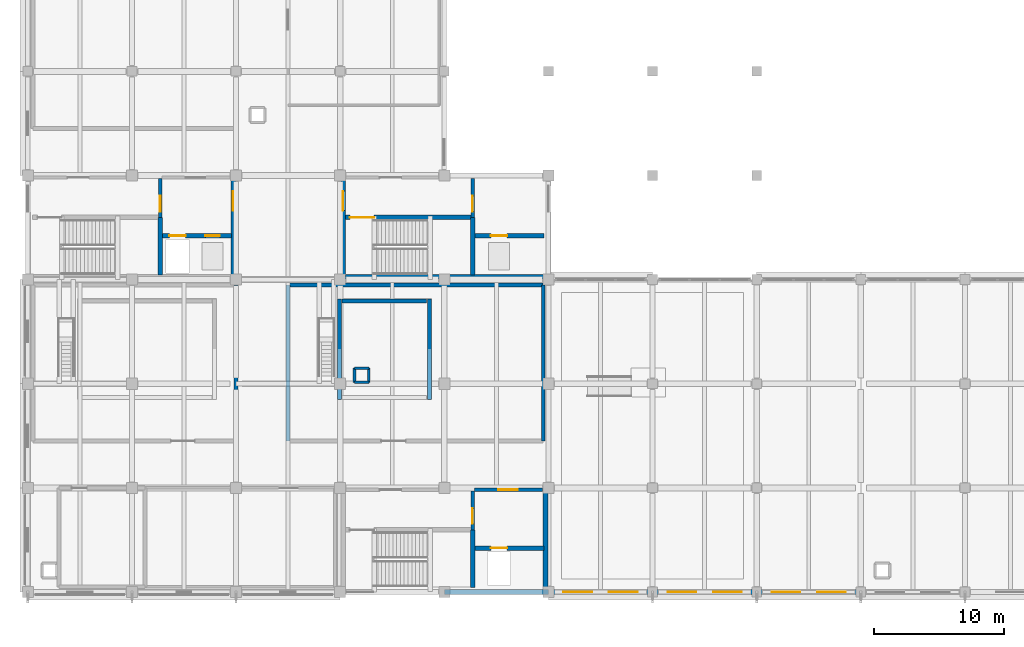
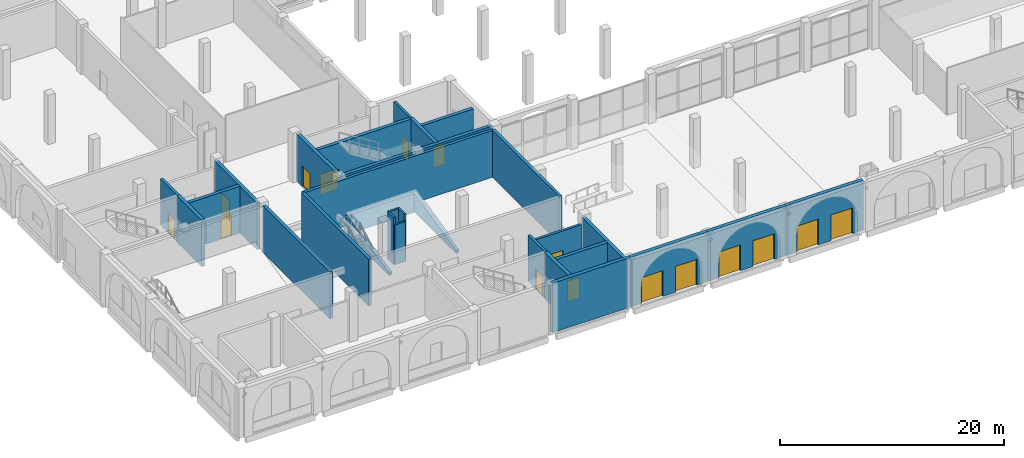
# One storey, part 17 of 40: 30 walls, 17 doors, 17 openings.
"""IFC4 building model written with IfcOpenShell, lengths in metres."""

from ifc_helpers import new_model, si_unit, direction, frame, frame_2d, origin, place, context, subcontext, project, spatial, polyline, rectangle, outline, extrude, material, layer, layer_set, type_object, element, fill, save


model = new_model("IFC4")

# Units and contexts
model_context = context("Model", 3, precision=1e-05, world=origin(), true_north=direction((0.0, 1.0)))
body_context = subcontext(model_context, "Body", "Model", "MODEL_VIEW")
ifc_project = project(units=[si_unit("LENGTHUNIT", "METRE"), si_unit("AREAUNIT", "SQUARE_METRE"), si_unit("VOLUMEUNIT", "CUBIC_METRE"), si_unit("PLANEANGLEUNIT", "RADIAN"), si_unit("MASSUNIT", "GRAM", prefix="KILO")], contexts=[model_context])

# Site, building, storey
site_placement = place(None, origin())
site = spatial("IfcSite", under=ifc_project, at=site_placement, CompositionType="ELEMENT")
building_placement = place(site_placement, origin())
building = spatial("IfcBuilding", under=site, at=building_placement, Name="Qorikala Patio Media Centre", CompositionType="ELEMENT")
storey_placement = place(building_placement, origin())
storey = spatial("IfcBuildingStorey", under=building, at=storey_placement, Name="L00", CompositionType="ELEMENT", Elevation=0.0)

# Walls
ifc_material_1 = material(Name="Concrete C35/45", Category="concrete")
ifc_layer_1 = layer(ifc_material_1, 0.300048828125)
ifc_layer_set_1 = layer_set([ifc_layer_1], Name="Concrete C35/45")
wall_type_1 = type_object("IfcWallType", Name="WL-AC-300", PredefinedType="SHEAR", material=ifc_layer_set_1)
for number, where, z_axis, x_axis, name in (
    (1, (26.949951171875, 17.800048828125, 0.0), (0.0, 0.0, 1.0), (0.0, 1.0, 0.0), "Cinema Screen 2 Raked Seating Tier Raker Cheek Wall W"),
    (2, (33.85009765625, 17.800048828125, 0.0), (0.0, 0.0, 1.0), (0.0, 1.0, 0.0), "Cinema Screen 2 Raked Seating Tier Raker Cheek Wall E"),
):
    element("IfcWall", number, at=place(storey_placement, frame(where, z_axis=z_axis, x_axis=x_axis)), inside=storey, type_object=wall_type_1, Name=name, PredefinedType="SHEAR", context=body_context, shape_type="SweptSolid", body=[
        extrude(outline(polyline([(0.0, 0.0), (7.699951171875, 0.0), (7.699951171875, 2.070068359375), (0.0, 0.320068359375), (0.0, 0.0)])), frame((0.0, 0.14990234375, 0.0), z_axis=(0.0, -1.0, 0.0), x_axis=(1.0, 0.0, 0.0)), (0.0, 0.0, 1.0), 0.300048828125),
    ])
wall_1_placement = place(storey_placement, frame((27.14990234375, 25.35009765625, 0.0), z_axis=(0.0, 0.0, 1.0), x_axis=(1.0, 0.0, 0.0)))
element("IfcWall", 3, at=wall_1_placement, inside=storey, type_object=wall_type_1, Name="Cinema Screen 2 Raked Seating Tier Rear Riser Support Wall", PredefinedType="SHEAR", context=body_context, shape_type="SweptSolid", body=[
    extrude(rectangle(XDim=6.5, YDim=0.300048828125, at=frame_2d((3.25, 0.0))), origin(), (0.0, 0.0, 1.0), 2.070068359375),
])
for number, where, z_axis, x_axis, name in (
    (4, (19.0, 14.60009765625, 0.0), (0.0, 0.0, 1.0), (0.0, 1.0, 0.0), "L00 Interior Wall WINT-L00-SCR1-E"),
    (5, (42.60009765625, 14.60009765625, 0.0), (0.0, 0.0, 1.0), (0.0, 1.0, 0.0), "L00 Interior Wall WINT-L00-SCR2-E"),
):
    element("IfcWall", number, at=place(storey_placement, frame(where, z_axis=z_axis, x_axis=x_axis)), inside=storey, type_object=wall_type_1, Name=name, PredefinedType="SHEAR", context=body_context, shape_type="SweptSolid", body=[
        extrude(rectangle(XDim=12.0, YDim=0.300048828125, at=frame_2d((6.0, 0.0))), origin(), (0.0, 0.0, 1.0), 5.10009765625),
    ])
wall_2_placement = place(storey_placement, frame((23.0, 26.60009765625, 0.0), z_axis=(0.0, 0.0, 1.0), x_axis=(1.0, 0.0, 0.0)))
element("IfcWall", 6, at=wall_2_placement, inside=storey, type_object=wall_type_1, Name="L00 Interior Wall WINT-L00-SCR2-N", PredefinedType="SHEAR", context=body_context, shape_type="SweptSolid", body=[
    extrude(rectangle(XDim=19.60009765625, YDim=0.300048828125, at=frame_2d((9.800048828125, 0.0))), origin(), (0.0, 0.0, 1.0), 5.10009765625),
])
wall_3_placement = place(storey_placement, frame((23.0, 14.60009765625, 0.0), z_axis=(0.0, 0.0, 1.0), x_axis=(0.0, 1.0, 0.0)))
element("IfcWall", 7, at=wall_3_placement, inside=storey, type_object=wall_type_1, Name="L00 Interior Wall WINT-L00-SCR2-W", PredefinedType="SHEAR", context=body_context, shape_type="SweptSolid", body=[
    extrude(rectangle(XDim=12.0, YDim=0.300048828125, at=frame_2d((6.0, 0.0))), origin(), (0.0, 0.0, 1.0), 5.10009765625),
])
ifc_layer_2 = layer(ifc_material_1, 0.35009765625)
ifc_layer_set_2 = layer_set([ifc_layer_2], Name="Concrete C35/45")
wall_type_2 = type_object("IfcWallType", Name="WL-CORE-350", PredefinedType="SHEAR", material=ifc_layer_set_2)
wall_4_placement = place(storey_placement, frame((37.175048828125, 3.35009765625, 0.0), z_axis=(0.0, 0.0, 1.0), x_axis=(0.0, 1.0, 0.0)))
element("IfcWall", 8, at=wall_4_placement, inside=storey, type_object=wall_type_2, Name="L00 Interior Wall CW-L00-C1-SE", PredefinedType="SHEAR", context=body_context, shape_type="SweptSolid", body=[
    extrude(rectangle(XDim=4.4248046875, YDim=0.35009765625, at=frame_2d((2.21240234375, 0.0))), origin(), (0.0, 0.0, 1.0), 5.10009765625),
])
wall_5_placement = place(storey_placement, frame((42.77490234375, 3.199951171875, 0.0), z_axis=(0.0, 0.0, 1.0), x_axis=(0.0, 1.0, 0.0)))
element("IfcWall", 9, at=wall_5_placement, inside=storey, type_object=wall_type_2, Name="L00 Interior Wall CW-L00-C1-EE", PredefinedType="SHEAR", context=body_context, shape_type="SweptSolid", body=[
    extrude(rectangle(XDim=7.60009765625, YDim=0.35009765625, at=frame_2d((3.800048828125, 0.0))), origin(), (0.0, 0.0, 1.0), 5.10009765625),
])

# Wall, opening, door
wall_6_placement = place(storey_placement, frame((37.175048828125, 6.375, 0.0), z_axis=(0.0, 0.0, 1.0), x_axis=(1.0, 0.0, 0.0)))
wall_6 = element("IfcWall", 10, at=wall_6_placement, inside=storey, type_object=wall_type_2, Name="L00 Interior Wall CW-L00-C1-LFN", PredefinedType="SHEAR", context=body_context, shape_type="SweptSolid", body=[
    extrude(rectangle(XDim=5.474853515625, YDim=0.35009765625, at=frame_2d((2.7373046875, 0.0))), origin(), (0.0, 0.0, 1.0), 5.10009765625),
])
opening_1_placement = place(wall_6_placement, frame((1.39990234375, 0.0, 0.0)))
opening_1 = element("IfcOpeningElement", 11, at=opening_1_placement, cuts=wall_6, Name="Opening LD02", PredefinedType="OPENING", context=body_context, shape_type="SweptSolid", body=[
    extrude(rectangle(XDim=1.25, YDim=2.25, at=frame_2d((0.625, 1.125))), frame((0.0, 0.18505859375, 0.0), z_axis=(0.0, -1.0, 0.0), x_axis=(1.0, 0.0, 0.0)), (0.0, 0.0, 1.0), 0.3701171875),
])
ifc_material_2 = material(Name="Brushed Bronze Stainless Steel", Category="steel")
door_type_1 = type_object("IfcDoorType", Name="DR-LD-125X225", OperationType="DOUBLE_DOOR_SLIDING", PredefinedType="DOOR", material=ifc_material_2)
door_1_placement = place(opening_1_placement, origin())
door_1 = element("IfcDoor", 12, at=door_1_placement, inside=storey, type_object=door_type_1, Name="L00 Lift LF-01 Sliding Landing Door", OperationType="DOUBLE_DOOR_SLIDING", OverallHeight=2.25, OverallWidth=1.25, PredefinedType="DOOR", context=body_context, shape_type="SweptSolid", body=[
    extrude(rectangle(XDim=1.25, YDim=2.25, at=frame_2d((0.625, 1.125))), frame((0.0, 0.02490234375, 0.0), z_axis=(0.0, -1.0, 0.0), x_axis=(1.0, 0.0, 0.0)), (0.0, 0.0, 1.0), 0.050048828125),
])
fill(opening_1, door_1)

# Wall
wall_7_placement = place(storey_placement, frame((13.175048828125, 27.35009765625, 0.0), z_axis=(0.0, 0.0, 1.0), x_axis=(0.0, 1.0, 0.0)))
element("IfcWall", 13, at=wall_7_placement, inside=storey, type_object=wall_type_2, Name="L00 Interior Wall CW-L00-C2-SE", PredefinedType="SHEAR", context=body_context, shape_type="SweptSolid", body=[
    extrude(rectangle(XDim=4.4248046875, YDim=0.35009765625, at=frame_2d((2.21240234375, 0.0))), origin(), (0.0, 0.0, 1.0), 5.10009765625),
])

# Wall, opening, door
wall_8_placement = place(storey_placement, frame((18.77490234375, 27.199951171875, 0.0), z_axis=(0.0, 0.0, 1.0), x_axis=(0.0, 1.0, 0.0)))
wall_8 = element("IfcWall", 14, at=wall_8_placement, inside=storey, type_object=wall_type_2, Name="L00 Interior Wall CW-L00-C2-EE", PredefinedType="SHEAR", context=body_context, shape_type="SweptSolid", body=[
    extrude(rectangle(XDim=7.60009765625, YDim=0.35009765625, at=frame_2d((3.800048828125, 0.0))), origin(), (0.0, 0.0, 1.0), 5.10009765625),
])
opening_2_placement = place(wall_8_placement, frame((5.10009765625, 0.0, 0.0)))
opening_2 = element("IfcOpeningElement", 15, at=opening_2_placement, cuts=wall_8, Name="Opening D064", PredefinedType="OPENING", context=body_context, shape_type="SweptSolid", body=[
    extrude(rectangle(XDim=1.5, YDim=2.199951171875, at=frame_2d((0.75, 1.10009765625))), frame((0.0, 0.18505859375, 0.0), z_axis=(0.0, -1.0, 0.0), x_axis=(1.0, 0.0, 0.0)), (0.0, 0.0, 1.0), 0.3701171875),
])
ifc_material_3 = material(Name="Powder-Coated Acoustic Fire Steel", Category="steel")
door_type_2 = type_object("IfcDoorType", Name="DR-FD60-150X220", OperationType="DOUBLE_DOOR_SINGLE_SWING", PredefinedType="DOOR", material=ifc_material_3)
door_2_placement = place(opening_2_placement, origin())
door_2 = element("IfcDoor", 16, at=door_2_placement, inside=storey, type_object=door_type_2, Name="L00 Core C2 East Corridor Fire Door", OperationType="DOUBLE_DOOR_SINGLE_SWING", OverallHeight=2.199951171875, OverallWidth=1.5, PredefinedType="DOOR", context=body_context, shape_type="SweptSolid", body=[
    extrude(rectangle(XDim=1.5, YDim=2.199951171875, at=frame_2d((0.75, 1.10009765625))), frame((0.0, 0.02490234375, 0.0), z_axis=(0.0, -1.0, 0.0), x_axis=(1.0, 0.0, 0.0)), (0.0, 0.0, 1.0), 0.050048828125),
])
fill(opening_2, door_2)

# Wall, openings, doors
wall_9_placement = place(storey_placement, frame((13.175048828125, 30.375, 0.0), z_axis=(0.0, 0.0, 1.0), x_axis=(1.0, 0.0, 0.0)))
wall_9 = element("IfcWall", 17, at=wall_9_placement, inside=storey, type_object=wall_type_2, Name="L00 Interior Wall CW-L00-C2-LFN", PredefinedType="SHEAR", context=body_context, shape_type="SweptSolid", body=[
    extrude(rectangle(XDim=5.474853515625, YDim=0.35009765625, at=frame_2d((2.7373046875, 0.0))), origin(), (0.0, 0.0, 1.0), 5.10009765625),
])
opening_3_placement = place(wall_9_placement, frame((0.699951171875, 0.0, 0.0)))
opening_3 = element("IfcOpeningElement", 18, at=opening_3_placement, cuts=wall_9, Name="Opening LD10", PredefinedType="OPENING", context=body_context, shape_type="SweptSolid", body=[
    extrude(rectangle(XDim=1.25, YDim=2.25, at=frame_2d((0.625, 1.125))), frame((0.0, 0.18505859375, 0.0), z_axis=(0.0, -1.0, 0.0), x_axis=(1.0, 0.0, 0.0)), (0.0, 0.0, 1.0), 0.3701171875),
])
opening_4_placement = place(wall_9_placement, frame((3.47509765625, 0.0, 0.0)))
opening_4 = element("IfcOpeningElement", 19, at=opening_4_placement, cuts=wall_9, Name="Opening LD11", PredefinedType="OPENING", context=body_context, shape_type="SweptSolid", body=[
    extrude(rectangle(XDim=1.10009765625, YDim=2.199951171875, at=frame_2d((0.550048828125, 1.10009765625))), frame((0.0, 0.18505859375, 0.0), z_axis=(0.0, -1.0, 0.0), x_axis=(1.0, 0.0, 0.0)), (0.0, 0.0, 1.0), 0.3701171875),
])
door_type_3 = type_object("IfcDoorType", Name="DR-LD-110X220", OperationType="DOUBLE_DOOR_SLIDING", PredefinedType="DOOR", material=ifc_material_2)
door_3_placement = place(opening_4_placement, origin())
door_3 = element("IfcDoor", 20, at=door_3_placement, inside=storey, type_object=door_type_3, Name="L00 Lift LP-04 Sliding Landing Door", OperationType="DOUBLE_DOOR_SLIDING", OverallHeight=2.199951171875, OverallWidth=1.10009765625, PredefinedType="DOOR", context=body_context, shape_type="SweptSolid", body=[
    extrude(rectangle(XDim=1.10009765625, YDim=2.199951171875, at=frame_2d((0.550048828125, 1.10009765625))), frame((0.0, 0.02490234375, 0.0), z_axis=(0.0, -1.0, 0.0), x_axis=(1.0, 0.0, 0.0)), (0.0, 0.0, 1.0), 0.050048828125),
])
fill(opening_4, door_3)
door_4_placement = place(opening_3_placement, origin())
door_4 = element("IfcDoor", 21, at=door_4_placement, inside=storey, type_object=door_type_1, Name="L00 Lift LF-02 Sliding Landing Door", OperationType="DOUBLE_DOOR_SLIDING", OverallHeight=2.25, OverallWidth=1.25, PredefinedType="DOOR", context=body_context, shape_type="SweptSolid", body=[
    extrude(rectangle(XDim=1.25, YDim=2.25, at=frame_2d((0.625, 1.125))), frame((0.0, 0.02490234375, 0.0), z_axis=(0.0, -1.0, 0.0), x_axis=(1.0, 0.0, 0.0)), (0.0, 0.0, 1.0), 0.050048828125),
])
fill(opening_3, door_4)

# Wall
wall_10_placement = place(storey_placement, frame((27.199951171875, 27.22509765625, 0.0), z_axis=(0.0, 0.0, 1.0), x_axis=(1.0, 0.0, 0.0)))
element("IfcWall", 22, at=wall_10_placement, inside=storey, type_object=wall_type_2, Name="L00 Core C5 Stair South Wall", PredefinedType="SHEAR", context=body_context, shape_type="SweptSolid", body=[
    extrude(rectangle(XDim=15.60009765625, YDim=0.35009765625, at=frame_2d((7.800048828125, 0.0))), origin(), (0.0, 0.0, 1.0), 5.10009765625),
])

# Wall, opening, door
wall_11_placement = place(storey_placement, frame((27.22509765625, 27.199951171875, 0.0), z_axis=(0.0, 0.0, 1.0), x_axis=(0.0, 1.0, 0.0)))
wall_11 = element("IfcWall", 23, at=wall_11_placement, inside=storey, type_object=wall_type_2, Name="L00 Interior Wall CW-L00-C5-SW", PredefinedType="SHEAR", context=body_context, shape_type="SweptSolid", body=[
    extrude(rectangle(XDim=7.60009765625, YDim=0.35009765625, at=frame_2d((3.800048828125, 0.0))), origin(), (0.0, 0.0, 1.0), 5.10009765625),
])
opening_5_placement = place(wall_11_placement, frame((5.10009765625, 0.0, 0.0)))
opening_5 = element("IfcOpeningElement", 24, at=opening_5_placement, cuts=wall_11, Name="Opening D150", PredefinedType="OPENING", context=body_context, shape_type="SweptSolid", body=[
    extrude(rectangle(XDim=1.5, YDim=2.199951171875, at=frame_2d((0.75, 1.10009765625))), frame((0.0, 0.18505859375, 0.0), z_axis=(0.0, -1.0, 0.0), x_axis=(1.0, 0.0, 0.0)), (0.0, 0.0, 1.0), 0.3701171875),
])
door_5_placement = place(opening_5_placement, origin())
door_5 = element("IfcDoor", 25, at=door_5_placement, inside=storey, type_object=door_type_2, Name="L00 Core C5 West Corridor Fire Door", OperationType="DOUBLE_DOOR_SINGLE_SWING", OverallHeight=2.199951171875, OverallWidth=1.5, PredefinedType="DOOR", context=body_context, shape_type="SweptSolid", body=[
    extrude(rectangle(XDim=1.5, YDim=2.199951171875, at=frame_2d((0.75, 1.10009765625))), frame((0.0, 0.02490234375, 0.0), z_axis=(0.0, -1.0, 0.0), x_axis=(1.0, 0.0, 0.0)), (0.0, 0.0, 1.0), 0.050048828125),
])
fill(opening_5, door_5)

# Wall
wall_12_placement = place(storey_placement, frame((37.175048828125, 27.35009765625, 0.0), z_axis=(0.0, 0.0, 1.0), x_axis=(0.0, 1.0, 0.0)))
element("IfcWall", 26, at=wall_12_placement, inside=storey, type_object=wall_type_2, Name="L00 Interior Wall CW-L00-C5-SE", PredefinedType="SHEAR", context=body_context, shape_type="SweptSolid", body=[
    extrude(rectangle(XDim=4.4248046875, YDim=0.35009765625, at=frame_2d((2.21240234375, 0.0))), origin(), (0.0, 0.0, 1.0), 5.10009765625),
])

# Wall, opening, door
wall_13_placement = place(storey_placement, frame((27.35009765625, 31.77490234375, 0.0), z_axis=(0.0, 0.0, 1.0), x_axis=(1.0, 0.0, 0.0)))
wall_13 = element("IfcWall", 27, at=wall_13_placement, inside=storey, type_object=wall_type_2, Name="L00 Interior Wall CW-L00-C5-SN", PredefinedType="SHEAR", context=body_context, shape_type="SweptSolid", body=[
    extrude(rectangle(XDim=9.824951171875, YDim=0.35009765625, at=frame_2d((4.91259765625, 0.0))), origin(), (0.0, 0.0, 1.0), 5.10009765625),
])
opening_6_placement = place(wall_13_placement, frame((0.39990234375, 0.0, 0.0)))
opening_6 = element("IfcOpeningElement", 28, at=opening_6_placement, cuts=wall_13, Name="Opening D147", PredefinedType="OPENING", context=body_context, shape_type="SweptSolid", body=[
    extrude(rectangle(XDim=1.85009765625, YDim=2.25, at=frame_2d((0.925048828125, 1.125))), frame((0.0, 0.18505859375, 0.0), z_axis=(0.0, -1.0, 0.0), x_axis=(1.0, 0.0, 0.0)), (0.0, 0.0, 1.0), 0.3701171875),
])
door_type_4 = type_object("IfcDoorType", Name="DR-FD60-185X225", OperationType="DOUBLE_DOOR_SINGLE_SWING", PredefinedType="DOOR", material=ifc_material_3)
door_6_placement = place(opening_6_placement, frame((1.85009765625, 0.0, 0.0), z_axis=(0.0, 0.0, 1.0), x_axis=(-1.0, 0.0, 0.0)))
door_6 = element("IfcDoor", 29, at=door_6_placement, inside=storey, type_object=door_type_4, Name="L00 Stair ST-5 Fire Door", OperationType="DOUBLE_DOOR_SINGLE_SWING", OverallHeight=2.25, OverallWidth=1.85009765625, PredefinedType="DOOR", context=body_context, shape_type="SweptSolid", body=[
    extrude(rectangle(XDim=1.85009765625, YDim=2.25, at=frame_2d((0.925048828125, 1.125))), frame((0.0, 0.02490234375, 0.0), z_axis=(0.0, -1.0, 0.0), x_axis=(1.0, 0.0, 0.0)), (0.0, 0.0, 1.0), 0.050048828125),
])
fill(opening_6, door_6)

wall_14_placement = place(storey_placement, frame((37.175048828125, 30.375, 0.0), z_axis=(0.0, 0.0, 1.0), x_axis=(1.0, 0.0, 0.0)))
wall_14 = element("IfcWall", 30, at=wall_14_placement, inside=storey, type_object=wall_type_2, Name="L00 Interior Wall CW-L00-C5-LFN", PredefinedType="SHEAR", context=body_context, shape_type="SweptSolid", body=[
    extrude(rectangle(XDim=5.474853515625, YDim=0.35009765625, at=frame_2d((2.7373046875, 0.0))), origin(), (0.0, 0.0, 1.0), 5.10009765625),
])
opening_7_placement = place(wall_14_placement, frame((1.39990234375, 0.0, 0.0)))
opening_7 = element("IfcOpeningElement", 31, at=opening_7_placement, cuts=wall_14, Name="Opening LD41", PredefinedType="OPENING", context=body_context, shape_type="SweptSolid", body=[
    extrude(rectangle(XDim=1.25, YDim=2.25, at=frame_2d((0.625, 1.125))), frame((0.0, 0.18505859375, 0.0), z_axis=(0.0, -1.0, 0.0), x_axis=(1.0, 0.0, 0.0)), (0.0, 0.0, 1.0), 0.3701171875),
])
door_7_placement = place(opening_7_placement, origin())
door_7 = element("IfcDoor", 32, at=door_7_placement, inside=storey, type_object=door_type_1, Name="L00 Lift LP-03 Sliding Landing Door", OperationType="DOUBLE_DOOR_SLIDING", OverallHeight=2.25, OverallWidth=1.25, PredefinedType="DOOR", context=body_context, shape_type="SweptSolid", body=[
    extrude(rectangle(XDim=1.25, YDim=2.25, at=frame_2d((0.625, 1.125))), frame((0.0, 0.02490234375, 0.0), z_axis=(0.0, -1.0, 0.0), x_axis=(1.0, 0.0, 0.0)), (0.0, 0.0, 1.0), 0.050048828125),
])
fill(opening_7, door_7)

ifc_layer_3 = layer(ifc_material_1, 0.25)
ifc_layer_set_3 = layer_set([ifc_layer_3], Name="Concrete C35/45")
wall_type_3 = type_object("IfcWallType", Name="WL-FFL-250", PredefinedType="PARTITIONING", material=ifc_layer_set_3)
wall_15_placement = place(storey_placement, frame((37.175048828125, 7.77490234375, 0.0), z_axis=(0.0, 0.0, 1.0), x_axis=(0.0, 1.0, 0.0)))
wall_15 = element("IfcWall", 33, at=wall_15_placement, inside=storey, type_object=wall_type_3, Name="L00 Interior Wall CW-L00-C1-LBD", PredefinedType="PARTITIONING", context=body_context, shape_type="SweptSolid", body=[
    extrude(rectangle(XDim=2.97509765625, YDim=0.25, at=frame_2d((1.487548828125, 0.0))), origin(), (0.0, 0.0, 1.0), 5.10009765625),
])
opening_8_placement = place(wall_15_placement, frame((0.449951171875, 0.0, 0.0)))
opening_8 = element("IfcOpeningElement", 34, at=opening_8_placement, cuts=wall_15, Name="Opening D028", PredefinedType="OPENING", context=body_context, shape_type="SweptSolid", body=[
    extrude(rectangle(XDim=1.199951171875, YDim=2.199951171875, at=frame_2d((0.60009765625, 1.10009765625))), frame((0.0, 0.135009765625, 0.0), z_axis=(0.0, -1.0, 0.0), x_axis=(1.0, 0.0, 0.0)), (0.0, 0.0, 1.0), 0.27001953125),
])
ifc_material_4 = material(Name="Acoustic Fire Timber and Steel", Category="steel")
door_type_5 = type_object("IfcDoorType", Name="DR-FD60-120X220", OperationType="NOTDEFINED", PredefinedType="DOOR", material=ifc_material_4)
door_8_placement = place(opening_8_placement, origin())
door_8 = element("IfcDoor", 35, at=door_8_placement, inside=storey, type_object=door_type_5, Name="L00 Core C1 Firefighting Lobby Cross Door", OperationType="SINGLE_SWING_RIGHT", OverallHeight=2.199951171875, OverallWidth=1.199951171875, PredefinedType="DOOR", context=body_context, shape_type="SweptSolid", body=[
    extrude(rectangle(XDim=1.199951171875, YDim=2.199951171875, at=frame_2d((0.60009765625, 1.10009765625))), frame((0.0, 0.02490234375, 0.0), z_axis=(0.0, -1.0, 0.0), x_axis=(1.0, 0.0, 0.0)), (0.0, 0.0, 1.0), 0.050048828125),
])
fill(opening_8, door_8)

wall_16_placement = place(storey_placement, frame((37.300048828125, 10.85009765625, 0.0), z_axis=(0.0, 0.0, 1.0), x_axis=(1.0, 0.0, 0.0)))
wall_16 = element("IfcWall", 36, at=wall_16_placement, inside=storey, type_object=wall_type_3, Name="L00 Interior Wall CW-L00-C1-CN2", PredefinedType="PARTITIONING", context=body_context, shape_type="SweptSolid", body=[
    extrude(rectangle(XDim=5.25, YDim=0.25, at=frame_2d((2.625, 0.0))), origin(), (0.0, 0.0, 1.0), 4.3349609375),
])
opening_9_placement = place(wall_16_placement, frame((1.85009765625, 0.0, 0.0)))
opening_9 = element("IfcOpeningElement", 37, at=opening_9_placement, cuts=wall_16, Name="Opening D030", PredefinedType="OPENING", context=body_context, shape_type="SweptSolid", body=[
    extrude(rectangle(XDim=1.5, YDim=2.199951171875, at=frame_2d((0.75, 1.10009765625))), frame((0.0, 0.135009765625, 0.0), z_axis=(0.0, -1.0, 0.0), x_axis=(1.0, 0.0, 0.0)), (0.0, 0.0, 1.0), 0.27001953125),
])
door_9_placement = place(opening_9_placement, origin())
door_9 = element("IfcDoor", 38, at=door_9_placement, inside=storey, type_object=door_type_2, Name="L00 Core C1 Firefighting Lobby Door", OperationType="DOUBLE_DOOR_SINGLE_SWING", OverallHeight=2.199951171875, OverallWidth=1.5, PredefinedType="DOOR", context=body_context, shape_type="SweptSolid", body=[
    extrude(rectangle(XDim=1.5, YDim=2.199951171875, at=frame_2d((0.75, 1.10009765625))), frame((0.0, 0.02490234375, 0.0), z_axis=(0.0, -1.0, 0.0), x_axis=(1.0, 0.0, 0.0)), (0.0, 0.0, 1.0), 0.050048828125),
])
fill(opening_9, door_9)

wall_17_placement = place(storey_placement, frame((13.175048828125, 31.77490234375, 0.0), z_axis=(0.0, 0.0, 1.0), x_axis=(0.0, 1.0, 0.0)))
wall_17 = element("IfcWall", 39, at=wall_17_placement, inside=storey, type_object=wall_type_3, Name="L00 Interior Wall CW-L00-C2-LBD", PredefinedType="PARTITIONING", context=body_context, shape_type="SweptSolid", body=[
    extrude(rectangle(XDim=2.97509765625, YDim=0.25, at=frame_2d((1.487548828125, 0.0))), origin(), (0.0, 0.0, 1.0), 5.10009765625),
])
opening_10_placement = place(wall_17_placement, frame((0.449951171875, 0.0, 0.0)))
opening_10 = element("IfcOpeningElement", 40, at=opening_10_placement, cuts=wall_17, Name="Opening D061", PredefinedType="OPENING", context=body_context, shape_type="SweptSolid", body=[
    extrude(rectangle(XDim=1.199951171875, YDim=2.199951171875, at=frame_2d((0.60009765625, 1.10009765625))), frame((0.0, 0.135009765625, 0.0), z_axis=(0.0, -1.0, 0.0), x_axis=(1.0, 0.0, 0.0)), (0.0, 0.0, 1.0), 0.27001953125),
])
door_10_placement = place(opening_10_placement, origin())
door_10 = element("IfcDoor", 41, at=door_10_placement, inside=storey, type_object=door_type_5, Name="L00 Core C2 Firefighting Lobby Cross Door", OperationType="SINGLE_SWING_RIGHT", OverallHeight=2.199951171875, OverallWidth=1.199951171875, PredefinedType="DOOR", context=body_context, shape_type="SweptSolid", body=[
    extrude(rectangle(XDim=1.199951171875, YDim=2.199951171875, at=frame_2d((0.60009765625, 1.10009765625))), frame((0.0, 0.02490234375, 0.0), z_axis=(0.0, -1.0, 0.0), x_axis=(1.0, 0.0, 0.0)), (0.0, 0.0, 1.0), 0.050048828125),
])
fill(opening_10, door_10)

wall_18_placement = place(storey_placement, frame((37.175048828125, 31.77490234375, 0.0), z_axis=(0.0, 0.0, 1.0), x_axis=(0.0, 1.0, 0.0)))
wall_18 = element("IfcWall", 42, at=wall_18_placement, inside=storey, type_object=wall_type_3, Name="L00 Interior Wall CW-L00-C5-LBD", PredefinedType="PARTITIONING", context=body_context, shape_type="SweptSolid", body=[
    extrude(rectangle(XDim=2.97509765625, YDim=0.25, at=frame_2d((1.487548828125, 0.0))), origin(), (0.0, 0.0, 1.0), 5.10009765625),
])
opening_11_placement = place(wall_18_placement, frame((0.449951171875, 0.0, 0.0)))
opening_11 = element("IfcOpeningElement", 43, at=opening_11_placement, cuts=wall_18, Name="Opening D148", PredefinedType="OPENING", context=body_context, shape_type="SweptSolid", body=[
    extrude(rectangle(XDim=1.199951171875, YDim=2.199951171875, at=frame_2d((0.60009765625, 1.10009765625))), frame((0.0, 0.135009765625, 0.0), z_axis=(0.0, -1.0, 0.0), x_axis=(1.0, 0.0, 0.0)), (0.0, 0.0, 1.0), 0.27001953125),
])
door_11_placement = place(opening_11_placement, origin())
door_11 = element("IfcDoor", 44, at=door_11_placement, inside=storey, type_object=door_type_5, Name="L00 Core C5 Firefighting Lobby Cross Door", OperationType="SINGLE_SWING_RIGHT", OverallHeight=2.199951171875, OverallWidth=1.199951171875, PredefinedType="DOOR", context=body_context, shape_type="SweptSolid", body=[
    extrude(rectangle(XDim=1.199951171875, YDim=2.199951171875, at=frame_2d((0.60009765625, 1.10009765625))), frame((0.0, 0.02490234375, 0.0), z_axis=(0.0, -1.0, 0.0), x_axis=(1.0, 0.0, 0.0)), (0.0, 0.0, 1.0), 0.050048828125),
])
fill(opening_11, door_11)

# Walls
ifc_material_5 = material(Name="Acoustic Masonry and Plaster Concrete C30/37", Category="masonry")
ifc_layer_4 = layer(ifc_material_5, 0.199951171875)
ifc_layer_set_4 = layer_set([ifc_layer_4], Name="Acoustic Masonry and Plaster Concrete C30/37")
wall_type_4 = type_object("IfcWallType", Name="WL-ST-200", PredefinedType="PARTITIONING", material=ifc_layer_set_4)
wall_19_placement = place(storey_placement, frame((28.10009765625, 19.10009765625, 0.0), z_axis=(0.0, 0.0, 1.0), x_axis=(1.0, 0.0, 0.0)))
element("IfcWall", 45, at=wall_19_placement, inside=storey, type_object=wall_type_4, Name="L00 Interior Wall RSW-4-L00-S", PredefinedType="PARTITIONING", context=body_context, shape_type="SweptSolid", body=[
    extrude(rectangle(XDim=1.099853515625, YDim=0.199951171875, at=frame_2d((0.5498046875, 0.0))), origin(), (0.0, 0.0, 1.0), 4.3349609375),
])
for number, where, z_axis, x_axis, name in (
    (46, (28.10009765625, 20.199951171875, 0.0), (0.0, 0.0, 1.0), (1.0, 0.0, 0.0), "L00 Interior Wall RSW-4-L00-N"),
    (47, (28.10009765625, 19.10009765625, 0.0), (0.0, 0.0, 1.0), (0.0, 1.0, 0.0), "L00 Interior Wall RSW-4-L00-W"),
    (48, (29.199951171875, 19.10009765625, 0.0), (0.0, 0.0, 1.0), (0.0, 1.0, 0.0), "L00 Interior Wall RSW-4-L00-E"),
):
    element("IfcWall", number, at=place(storey_placement, frame(where, z_axis=z_axis, x_axis=x_axis)), inside=storey, type_object=wall_type_4, Name=name, PredefinedType="PARTITIONING", context=body_context, shape_type="SweptSolid", body=[
        extrude(rectangle(XDim=1.099853515625, YDim=0.199951171875, at=frame_2d((0.5498046875, 0.0))), origin(), (0.0, 0.0, 1.0), 5.10009765625),
    ])

# Wall, openings, doors
ifc_material_6 = material(Name="Comanche Granite and Concrete C35/45", Category="masonry")
ifc_layer_5 = layer(ifc_material_6, 0.3798828125)
ifc_layer_set_5 = layer_set([ifc_layer_5], Name="Comanche Granite and Concrete C35/45")
wall_type_5 = type_object("IfcWallType", Name="WL-STONE-380", PredefinedType="SOLIDWALL", material=ifc_layer_set_5)
wall_20_placement = place(storey_placement, frame((67.0, 3.0, 0.0), z_axis=(0.0, 0.0, 1.0), x_axis=(-1.0, 0.0, 0.0)))
wall_20 = element("IfcWall", 49, at=wall_20_placement, inside=storey, type_object=wall_type_5, Name="L00 Exterior Wall WL-L00-EXT-0038", PredefinedType="SOLIDWALL", context=body_context, shape_type="SweptSolid", body=[
    extrude(rectangle(XDim=8.0, YDim=0.3798828125, at=frame_2d((4.0, 0.0))), origin(), (0.0, 0.0, 1.0), 5.39990234375),
])
opening_12_placement = place(wall_20_placement, frame((1.14990234375, 0.0, 0.0)))
opening_12 = element("IfcOpeningElement", 50, at=opening_12_placement, cuts=wall_20, Name="Opening D007", PredefinedType="OPENING", context=body_context, shape_type="SweptSolid", body=[
    extrude(rectangle(XDim=2.199951171875, YDim=2.800048828125, at=frame_2d((1.10009765625, 1.39990234375))), frame((0.0, 0.199951171875, 0.0), z_axis=(0.0, -1.0, 0.0), x_axis=(1.0, 0.0, 0.0)), (0.0, 0.0, 1.0), 0.39990234375),
])
opening_13_placement = place(wall_20_placement, frame((4.64990234375, 0.0, 0.0)))
opening_13 = element("IfcOpeningElement", 51, at=opening_13_placement, cuts=wall_20, Name="Opening D008", PredefinedType="OPENING", context=body_context, shape_type="SweptSolid", body=[
    extrude(rectangle(XDim=2.199951171875, YDim=2.800048828125, at=frame_2d((1.10009765625, 1.39990234375))), frame((0.0, 0.199951171875, 0.0), z_axis=(0.0, -1.0, 0.0), x_axis=(1.0, 0.0, 0.0)), (0.0, 0.0, 1.0), 0.39990234375),
])
ifc_material_7 = material(Name="Bronze Anodised Steel and Glass", Category="steel")
door_type_6 = type_object("IfcDoorType", Name="DR-EX-220X280", OperationType="DOUBLE_DOOR_SINGLE_SWING", PredefinedType="DOOR", material=ifc_material_7)
door_12_placement = place(opening_12_placement, origin())
door_12 = element("IfcDoor", 52, at=door_12_placement, inside=storey, type_object=door_type_6, Name="Main Pedestrian Entrance and Exit Door EX-07", OperationType="DOUBLE_DOOR_SINGLE_SWING", OverallHeight=2.800048828125, OverallWidth=2.199951171875, PredefinedType="DOOR", context=body_context, shape_type="SweptSolid", body=[
    extrude(rectangle(XDim=2.199951171875, YDim=2.800048828125, at=frame_2d((1.10009765625, 1.39990234375))), frame((0.0, 0.02490234375, 0.0), z_axis=(0.0, -1.0, 0.0), x_axis=(1.0, 0.0, 0.0)), (0.0, 0.0, 1.0), 0.050048828125),
])
fill(opening_12, door_12)
door_13_placement = place(opening_13_placement, origin())
door_13 = element("IfcDoor", 53, at=door_13_placement, inside=storey, type_object=door_type_6, Name="Main Pedestrian Entrance and Exit Door EX-08", OperationType="DOUBLE_DOOR_SINGLE_SWING", OverallHeight=2.800048828125, OverallWidth=2.199951171875, PredefinedType="DOOR", context=body_context, shape_type="SweptSolid", body=[
    extrude(rectangle(XDim=2.199951171875, YDim=2.800048828125, at=frame_2d((1.10009765625, 1.39990234375))), frame((0.0, 0.02490234375, 0.0), z_axis=(0.0, -1.0, 0.0), x_axis=(1.0, 0.0, 0.0)), (0.0, 0.0, 1.0), 0.050048828125),
])
fill(opening_13, door_13)

wall_21_placement = place(storey_placement, frame((59.0, 3.0, 0.0), z_axis=(0.0, 0.0, 1.0), x_axis=(-1.0, 0.0, 0.0)))
wall_21 = element("IfcWall", 54, at=wall_21_placement, inside=storey, type_object=wall_type_5, Name="L00 Exterior Wall WL-L00-EXT-0039", PredefinedType="SOLIDWALL", context=body_context, shape_type="SweptSolid", body=[
    extrude(rectangle(XDim=8.0, YDim=0.3798828125, at=frame_2d((4.0, 0.0))), origin(), (0.0, 0.0, 1.0), 5.39990234375),
])
opening_14_placement = place(wall_21_placement, frame((1.14990234375, 0.0, 0.0)))
opening_14 = element("IfcOpeningElement", 55, at=opening_14_placement, cuts=wall_21, Name="Opening D009", PredefinedType="OPENING", context=body_context, shape_type="SweptSolid", body=[
    extrude(rectangle(XDim=2.199951171875, YDim=2.800048828125, at=frame_2d((1.10009765625, 1.39990234375))), frame((0.0, 0.199951171875, 0.0), z_axis=(0.0, -1.0, 0.0), x_axis=(1.0, 0.0, 0.0)), (0.0, 0.0, 1.0), 0.39990234375),
])
opening_15_placement = place(wall_21_placement, frame((4.64990234375, 0.0, 0.0)))
opening_15 = element("IfcOpeningElement", 56, at=opening_15_placement, cuts=wall_21, Name="Opening D010", PredefinedType="OPENING", context=body_context, shape_type="SweptSolid", body=[
    extrude(rectangle(XDim=2.199951171875, YDim=2.800048828125, at=frame_2d((1.10009765625, 1.39990234375))), frame((0.0, 0.199951171875, 0.0), z_axis=(0.0, -1.0, 0.0), x_axis=(1.0, 0.0, 0.0)), (0.0, 0.0, 1.0), 0.39990234375),
])
door_14_placement = place(opening_14_placement, origin())
door_14 = element("IfcDoor", 57, at=door_14_placement, inside=storey, type_object=door_type_6, Name="Main Pedestrian Entrance and Exit Door EX-09", OperationType="DOUBLE_DOOR_SINGLE_SWING", OverallHeight=2.800048828125, OverallWidth=2.199951171875, PredefinedType="DOOR", context=body_context, shape_type="SweptSolid", body=[
    extrude(rectangle(XDim=2.199951171875, YDim=2.800048828125, at=frame_2d((1.10009765625, 1.39990234375))), frame((0.0, 0.02490234375, 0.0), z_axis=(0.0, -1.0, 0.0), x_axis=(1.0, 0.0, 0.0)), (0.0, 0.0, 1.0), 0.050048828125),
])
fill(opening_14, door_14)
door_15_placement = place(opening_15_placement, origin())
door_15 = element("IfcDoor", 58, at=door_15_placement, inside=storey, type_object=door_type_6, Name="Main Pedestrian Entrance and Exit Door EX-10", OperationType="DOUBLE_DOOR_SINGLE_SWING", OverallHeight=2.800048828125, OverallWidth=2.199951171875, PredefinedType="DOOR", context=body_context, shape_type="SweptSolid", body=[
    extrude(rectangle(XDim=2.199951171875, YDim=2.800048828125, at=frame_2d((1.10009765625, 1.39990234375))), frame((0.0, 0.02490234375, 0.0), z_axis=(0.0, -1.0, 0.0), x_axis=(1.0, 0.0, 0.0)), (0.0, 0.0, 1.0), 0.050048828125),
])
fill(opening_15, door_15)

wall_22_placement = place(storey_placement, frame((51.0, 3.0, 0.0), z_axis=(0.0, 0.0, 1.0), x_axis=(-1.0, 0.0, 0.0)))
wall_22 = element("IfcWall", 59, at=wall_22_placement, inside=storey, type_object=wall_type_5, Name="L00 Exterior Wall WL-L00-EXT-0040", PredefinedType="SOLIDWALL", context=body_context, shape_type="SweptSolid", body=[
    extrude(rectangle(XDim=8.0, YDim=0.3798828125, at=frame_2d((4.0, 0.0))), origin(), (0.0, 0.0, 1.0), 5.39990234375),
])
opening_16_placement = place(wall_22_placement, frame((1.14990234375, 0.0, 0.0)))
opening_16 = element("IfcOpeningElement", 60, at=opening_16_placement, cuts=wall_22, Name="Opening D011", PredefinedType="OPENING", context=body_context, shape_type="SweptSolid", body=[
    extrude(rectangle(XDim=2.199951171875, YDim=2.800048828125, at=frame_2d((1.10009765625, 1.39990234375))), frame((0.0, 0.199951171875, 0.0), z_axis=(0.0, -1.0, 0.0), x_axis=(1.0, 0.0, 0.0)), (0.0, 0.0, 1.0), 0.39990234375),
])
opening_17_placement = place(wall_22_placement, frame((4.64990234375, 0.0, 0.0)))
opening_17 = element("IfcOpeningElement", 61, at=opening_17_placement, cuts=wall_22, Name="Opening D012", PredefinedType="OPENING", context=body_context, shape_type="SweptSolid", body=[
    extrude(rectangle(XDim=2.199951171875, YDim=2.800048828125, at=frame_2d((1.10009765625, 1.39990234375))), frame((0.0, 0.199951171875, 0.0), z_axis=(0.0, -1.0, 0.0), x_axis=(1.0, 0.0, 0.0)), (0.0, 0.0, 1.0), 0.39990234375),
])
door_16_placement = place(opening_16_placement, origin())
door_16 = element("IfcDoor", 62, at=door_16_placement, inside=storey, type_object=door_type_6, Name="Main Pedestrian Entrance and Exit Door EX-11", OperationType="DOUBLE_DOOR_SINGLE_SWING", OverallHeight=2.800048828125, OverallWidth=2.199951171875, PredefinedType="DOOR", context=body_context, shape_type="SweptSolid", body=[
    extrude(rectangle(XDim=2.199951171875, YDim=2.800048828125, at=frame_2d((1.10009765625, 1.39990234375))), frame((0.0, 0.02490234375, 0.0), z_axis=(0.0, -1.0, 0.0), x_axis=(1.0, 0.0, 0.0)), (0.0, 0.0, 1.0), 0.050048828125),
])
fill(opening_16, door_16)
door_17_placement = place(opening_17_placement, origin())
door_17 = element("IfcDoor", 63, at=door_17_placement, inside=storey, type_object=door_type_6, Name="Main Pedestrian Entrance and Exit Door EX-12", OperationType="DOUBLE_DOOR_SINGLE_SWING", OverallHeight=2.800048828125, OverallWidth=2.199951171875, PredefinedType="DOOR", context=body_context, shape_type="SweptSolid", body=[
    extrude(rectangle(XDim=2.199951171875, YDim=2.800048828125, at=frame_2d((1.10009765625, 1.39990234375))), frame((0.0, 0.02490234375, 0.0), z_axis=(0.0, -1.0, 0.0), x_axis=(1.0, 0.0, 0.0)), (0.0, 0.0, 1.0), 0.050048828125),
])
fill(opening_17, door_17)

# Wall
wall_23_placement = place(storey_placement, frame((43.0, 3.0, 0.0), z_axis=(0.0, 0.0, 1.0), x_axis=(-1.0, 0.0, 0.0)))
element("IfcWall", 64, at=wall_23_placement, inside=storey, type_object=wall_type_5, Name="L00 Core C1 Exterior Shear Wall", PredefinedType="SOLIDWALL", context=body_context, shape_type="SweptSolid", body=[
    extrude(rectangle(XDim=8.0, YDim=0.3798828125, at=frame_2d((4.0, 0.0))), origin(), (0.0, 0.0, 1.0), 5.39990234375),
])

save(model, "model.ifc")
